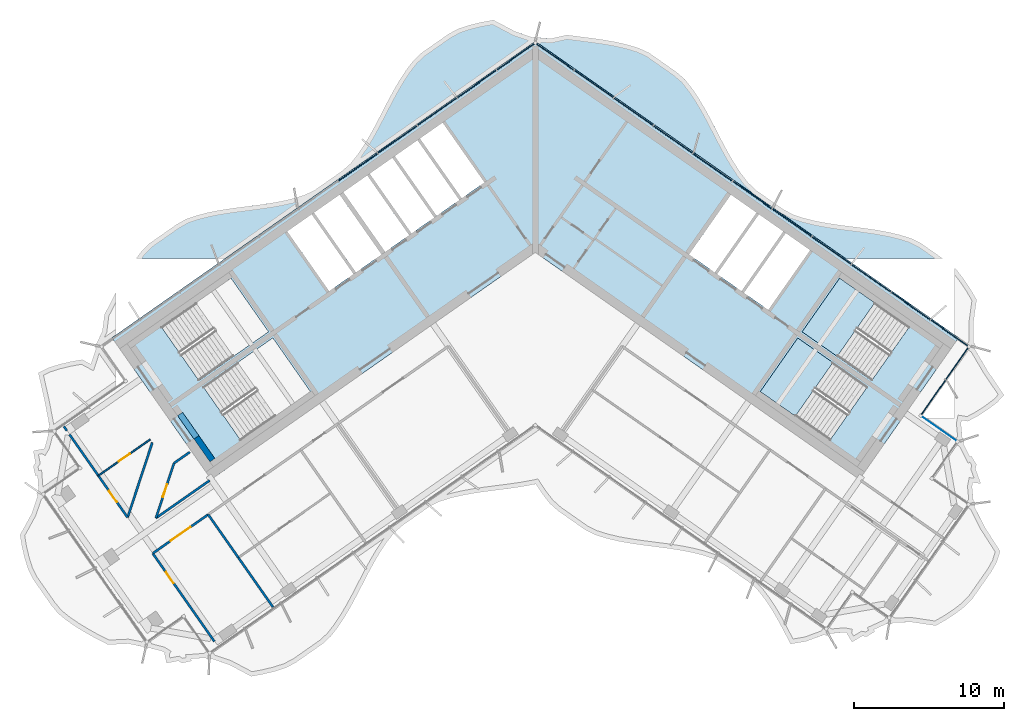
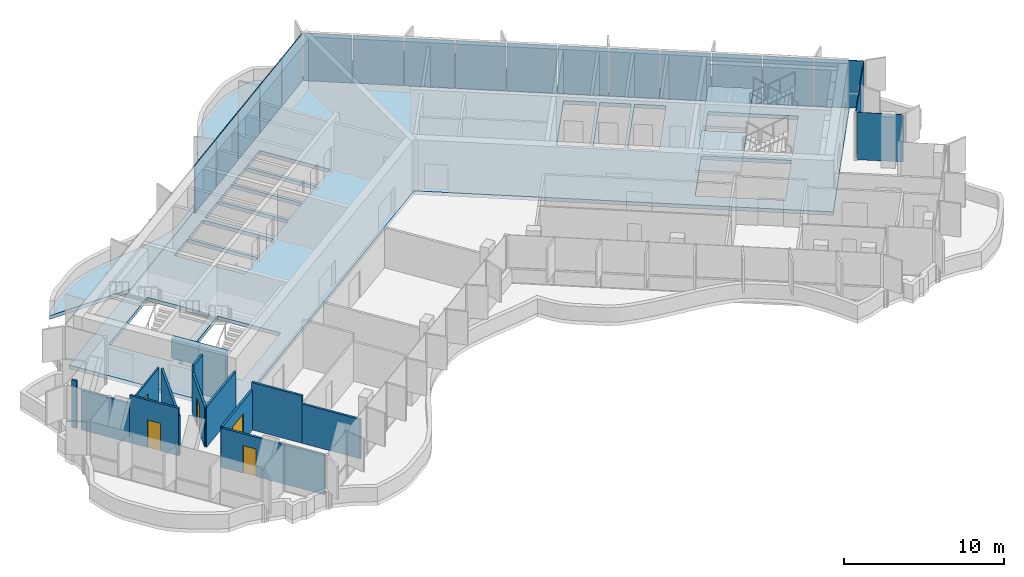
# One storey, part 8 of 17: 19 plates, 14 walls, 5 doors, 4 slabs, 5 openings, 4 elements without a shape of their own.
"""IFC4 building model written with IfcOpenShell, lengths in metres."""

from ifc_helpers import new_model, si_unit, direction, frame, frame_2d, origin, origin_2d, place, context, subcontext, project, spatial, polyline, rectangle, outline, extrude, material, layer, layer_set, type_object, element, fill, aggregate, save


model = new_model("IFC4")

# Units and contexts
model_context = context("Model", 3, precision=1e-05, world=origin(), true_north=direction((0.0, 1.0)))
body_context = subcontext(model_context, "Body", "Model", "MODEL_VIEW")
ifc_project = project(units=[si_unit("LENGTHUNIT", "METRE"), si_unit("AREAUNIT", "SQUARE_METRE"), si_unit("VOLUMEUNIT", "CUBIC_METRE"), si_unit("PLANEANGLEUNIT", "RADIAN"), si_unit("MASSUNIT", "GRAM", prefix="KILO")], contexts=[model_context])

# Site, building, storey
site_placement = place(None, origin())
site = spatial("IfcSite", under=ifc_project, at=site_placement, CompositionType="ELEMENT")
building_placement = place(site_placement, origin())
building = spatial("IfcBuilding", under=site, at=building_placement, Name="Tel Ilan Convention Tower", CompositionType="ELEMENT")
storey_placement = place(building_placement, frame((0.0, 0.0, 291.699951171875)))
storey = spatial("IfcBuildingStorey", under=building, at=storey_placement, Name="L69", CompositionType="ELEMENT", Elevation=291.699951171875)

# Curtain wall, plates
ifc_material_1 = material(Name="Aluminium, bronze anodised", Category="aluminium")
curtain_wall_type_1 = type_object("IfcCurtainWallType", Name="CW2 STICK CURTAIN WALL, SPANDREL PANELS", PredefinedType="NOTDEFINED", material=ifc_material_1)
curtain_wall_1_placement = place(storey_placement, origin())
curtain_wall_1 = element("IfcCurtainWall", 1, at=curtain_wall_1_placement, inside=storey, type_object=curtain_wall_type_1, Name="Curtain wall CW2-52.01", PredefinedType="NOTDEFINED")
ifc_material_2 = material(Name="Aluminium composite panel, bronze anodised", Category="aluminium")
ifc_layer_1 = layer(ifc_material_2, 0.06005859375)
ifc_layer_set_1 = layer_set([ifc_layer_1], Name="CW SPANDREL PANEL 60")
plate_type_1 = type_object("IfcPlateType", Name="CW SPANDREL PANEL 60", PredefinedType="CURTAIN_PANEL", material=ifc_layer_set_1)
plate_1_placement = place(storey_placement, frame((26.45947265625, -10.85400390625, 0.0), z_axis=(0.0, 0.0, 1.0), x_axis=(0.573576436351, 0.819152044289, 0.0)))
plate_1 = element("IfcPlate", 2, at=plate_1_placement, type_object=plate_type_1, Name="Spandrel panel", PredefinedType="CURTAIN_PANEL", context=body_context, shape_type="SweptSolid", body=[
    extrude(rectangle(XDim=2.76904296875, YDim=0.06005859375, at=origin_2d()), origin(), (0.0, 0.0, 1.0), 3.6201171875),
])
plate_2_placement = place(storey_placement, frame((28.042236328125, -8.593505859375, 0.0), z_axis=(0.0, 0.0, 1.0), x_axis=(0.573576436351, 0.819152044289, 0.0)))
plate_2 = element("IfcPlate", 3, at=plate_2_placement, type_object=plate_type_1, Name="Spandrel panel", PredefinedType="CURTAIN_PANEL", context=body_context, shape_type="SweptSolid", body=[
    extrude(rectangle(XDim=2.6298828125, YDim=0.06005859375, at=origin_2d()), origin(), (0.0, 0.0, 1.0), 3.6201171875),
])
plate_3_placement = place(storey_placement, frame((27.5400390625, -6.587646484375, 0.0), z_axis=(0.0, 0.0, 1.0), x_axis=(-0.819152044289, 0.573576436351, 0.0)))
plate_3 = element("IfcPlate", 4, at=plate_3_placement, type_object=plate_type_1, Name="Spandrel panel", PredefinedType="CURTAIN_PANEL", context=body_context, shape_type="SweptSolid", body=[
    extrude(rectangle(XDim=3.0439453125, YDim=0.06005859375, at=origin_2d()), origin(), (0.0, 0.0, 1.0), 3.6201171875),
])
plate_4_placement = place(storey_placement, frame((24.95263671875, -4.77587890625, 0.0), z_axis=(0.0, 0.0, 1.0), x_axis=(-0.819152044289, 0.573576436351, 0.0)))
plate_4 = element("IfcPlate", 5, at=plate_4_placement, type_object=plate_type_1, Name="Spandrel panel", PredefinedType="CURTAIN_PANEL", context=body_context, shape_type="SweptSolid", body=[
    extrude(rectangle(XDim=3.15380859375, YDim=0.06005859375, at=origin_2d()), origin(), (0.0, 0.0, 1.0), 3.6201171875),
])
plate_5_placement = place(storey_placement, frame((22.31982421875, -2.9326171875, 0.0), z_axis=(0.0, 0.0, 1.0), x_axis=(-0.819152044289, 0.573576436351, 0.0)))
plate_5 = element("IfcPlate", 6, at=plate_5_placement, type_object=plate_type_1, Name="Spandrel panel", PredefinedType="CURTAIN_PANEL", context=body_context, shape_type="SweptSolid", body=[
    extrude(rectangle(XDim=3.15380859375, YDim=0.06005859375, at=origin_2d()), origin(), (0.0, 0.0, 1.0), 3.6201171875),
])
plate_6_placement = place(storey_placement, frame((19.687255859375, -1.089111328125, 0.0), z_axis=(0.0, 0.0, 1.0), x_axis=(-0.819152044289, 0.573576436351, 0.0)))
plate_6 = element("IfcPlate", 7, at=plate_6_placement, type_object=plate_type_1, Name="Spandrel panel", PredefinedType="CURTAIN_PANEL", context=body_context, shape_type="SweptSolid", body=[
    extrude(rectangle(XDim=3.15380859375, YDim=0.06005859375, at=origin_2d()), origin(), (0.0, 0.0, 1.0), 3.6201171875),
])
plate_7_placement = place(storey_placement, frame((17.0546875, 0.754150390625, 0.0), z_axis=(0.0, 0.0, 1.0), x_axis=(-0.819152044289, 0.573576436351, 0.0)))
plate_7 = element("IfcPlate", 8, at=plate_7_placement, type_object=plate_type_1, Name="Spandrel panel", PredefinedType="CURTAIN_PANEL", context=body_context, shape_type="SweptSolid", body=[
    extrude(rectangle(XDim=3.15380859375, YDim=0.06005859375, at=origin_2d()), origin(), (0.0, 0.0, 1.0), 3.6201171875),
])
plate_8_placement = place(storey_placement, frame((14.422119140625, 2.59765625, 0.0), z_axis=(0.0, 0.0, 1.0), x_axis=(-0.819152044289, 0.573576436351, 0.0)))
plate_8 = element("IfcPlate", 9, at=plate_8_placement, type_object=plate_type_1, Name="Spandrel panel", PredefinedType="CURTAIN_PANEL", context=body_context, shape_type="SweptSolid", body=[
    extrude(rectangle(XDim=3.15380859375, YDim=0.06005859375, at=origin_2d()), origin(), (0.0, 0.0, 1.0), 3.6201171875),
])
plate_9_placement = place(storey_placement, frame((11.789306640625, 4.44091796875, 0.0), z_axis=(0.0, 0.0, 1.0), x_axis=(-0.819152044289, 0.573576436351, 0.0)))
plate_9 = element("IfcPlate", 10, at=plate_9_placement, type_object=plate_type_1, Name="Spandrel panel", PredefinedType="CURTAIN_PANEL", context=body_context, shape_type="SweptSolid", body=[
    extrude(rectangle(XDim=3.15380859375, YDim=0.06005859375, at=origin_2d()), origin(), (0.0, 0.0, 1.0), 3.6201171875),
])
plate_10_placement = place(storey_placement, frame((9.15673828125, 6.284423828125, 0.0), z_axis=(0.0, 0.0, 1.0), x_axis=(-0.819152044289, 0.573576436351, 0.0)))
plate_10 = element("IfcPlate", 11, at=plate_10_placement, type_object=plate_type_1, Name="Spandrel panel", PredefinedType="CURTAIN_PANEL", context=body_context, shape_type="SweptSolid", body=[
    extrude(rectangle(XDim=3.15380859375, YDim=0.06005859375, at=origin_2d()), origin(), (0.0, 0.0, 1.0), 3.6201171875),
])
plate_11_placement = place(storey_placement, frame((6.524169921875, 8.127685546875, 0.0), z_axis=(0.0, 0.0, 1.0), x_axis=(-0.819152044289, 0.573576436351, 0.0)))
plate_11 = element("IfcPlate", 12, at=plate_11_placement, type_object=plate_type_1, Name="Spandrel panel", PredefinedType="CURTAIN_PANEL", context=body_context, shape_type="SweptSolid", body=[
    extrude(rectangle(XDim=3.15380859375, YDim=0.06005859375, at=origin_2d()), origin(), (0.0, 0.0, 1.0), 3.6201171875),
])
plate_12_placement = place(storey_placement, frame((3.8916015625, 9.97119140625, 0.0), z_axis=(0.0, 0.0, 1.0), x_axis=(-0.819152044289, 0.573576436351, 0.0)))
plate_12 = element("IfcPlate", 13, at=plate_12_placement, type_object=plate_type_1, Name="Spandrel panel", PredefinedType="CURTAIN_PANEL", context=body_context, shape_type="SweptSolid", body=[
    extrude(rectangle(XDim=3.15380859375, YDim=0.06005859375, at=origin_2d()), origin(), (0.0, 0.0, 1.0), 3.6201171875),
])
plate_13_placement = place(storey_placement, frame((1.303955078125, 11.782958984375, 0.0), z_axis=(0.0, 0.0, 1.0), x_axis=(-0.819152044289, 0.573576436351, 0.0)))
plate_13 = element("IfcPlate", 14, at=plate_13_placement, type_object=plate_type_1, Name="Spandrel panel", PredefinedType="CURTAIN_PANEL", context=body_context, shape_type="SweptSolid", body=[
    extrude(rectangle(XDim=3.0439453125, YDim=0.06005859375, at=origin_2d()), origin(), (0.0, 0.0, 1.0), 3.6201171875),
])
plate_14_placement = place(storey_placement, frame((-1.303955078125, 11.782958984375, 0.0), z_axis=(0.0, 0.0, 1.0), x_axis=(-0.819152044289, -0.573576436351, 0.0)))
plate_14 = element("IfcPlate", 15, at=plate_14_placement, type_object=plate_type_1, Name="Spandrel panel", PredefinedType="CURTAIN_PANEL", context=body_context, shape_type="SweptSolid", body=[
    extrude(rectangle(XDim=3.0439453125, YDim=0.06005859375, at=origin_2d()), origin(), (0.0, 0.0, 1.0), 3.6201171875),
])
plate_15_placement = place(storey_placement, frame((-3.8916015625, 9.97119140625, 0.0), z_axis=(0.0, 0.0, 1.0), x_axis=(-0.819152044289, -0.573576436351, 0.0)))
plate_15 = element("IfcPlate", 16, at=plate_15_placement, type_object=plate_type_1, Name="Spandrel panel", PredefinedType="CURTAIN_PANEL", context=body_context, shape_type="SweptSolid", body=[
    extrude(rectangle(XDim=3.15380859375, YDim=0.06005859375, at=origin_2d()), origin(), (0.0, 0.0, 1.0), 3.6201171875),
])
plate_16_placement = place(storey_placement, frame((-6.524169921875, 8.127685546875, 0.0), z_axis=(0.0, 0.0, 1.0), x_axis=(-0.819152044289, -0.573576436351, 0.0)))
plate_16 = element("IfcPlate", 17, at=plate_16_placement, type_object=plate_type_1, Name="Spandrel panel", PredefinedType="CURTAIN_PANEL", context=body_context, shape_type="SweptSolid", body=[
    extrude(rectangle(XDim=3.15380859375, YDim=0.06005859375, at=origin_2d()), origin(), (0.0, 0.0, 1.0), 3.6201171875),
])
plate_17_placement = place(storey_placement, frame((-9.15673828125, 6.284423828125, 0.0), z_axis=(0.0, 0.0, 1.0), x_axis=(-0.819152044289, -0.573576436351, 0.0)))
plate_17 = element("IfcPlate", 18, at=plate_17_placement, type_object=plate_type_1, Name="Spandrel panel", PredefinedType="CURTAIN_PANEL", context=body_context, shape_type="SweptSolid", body=[
    extrude(rectangle(XDim=3.15380859375, YDim=0.06005859375, at=origin_2d()), origin(), (0.0, 0.0, 1.0), 3.6201171875),
])
plate_18_placement = place(storey_placement, frame((-11.789306640625, 4.44091796875, 0.0), z_axis=(0.0, 0.0, 1.0), x_axis=(-0.819152044289, -0.573576436351, 0.0)))
plate_18 = element("IfcPlate", 19, at=plate_18_placement, type_object=plate_type_1, Name="Spandrel panel", PredefinedType="CURTAIN_PANEL", context=body_context, shape_type="SweptSolid", body=[
    extrude(rectangle(XDim=3.15380859375, YDim=0.06005859375, at=origin_2d()), origin(), (0.0, 0.0, 1.0), 3.6201171875),
])
aggregate(curtain_wall_1, [plate_1, plate_2, plate_3, plate_4, plate_5, plate_6, plate_7, plate_8, plate_9, plate_10, plate_11, plate_12, plate_13, plate_14, plate_15, plate_16, plate_17, plate_18])

# Curtain wall, plate
ifc_material_3 = material(Name="Aluminium, bronze anodised", Category="aluminium")
curtain_wall_type_2 = type_object("IfcCurtainWallType", Name="CW5 STICK CURTAIN WALL, UPPER OFFICE LOW-IRON TINTED GLASS", PredefinedType="NOTDEFINED", material=ifc_material_3)
curtain_wall_2_placement = place(storey_placement, origin())
curtain_wall_2 = element("IfcCurtainWall", 20, at=curtain_wall_2_placement, inside=storey, type_object=curtain_wall_type_2, Name="Curtain wall CW5-52.02", PredefinedType="NOTDEFINED")
ifc_material_4 = material(Name="Glass, low-iron bronze tinted, two-ply", Category="glass")
ifc_layer_2 = layer(ifc_material_4, 0.031982421875)
ifc_layer_set_2 = layer_set([ifc_layer_2], Name="CW UPPER GLASS PANEL 32")
plate_type_2 = type_object("IfcPlateType", Name="CW UPPER GLASS PANEL 32", PredefinedType="CURTAIN_PANEL", material=ifc_layer_set_2)
plate_19_placement = place(storey_placement, frame((26.86767578125, -12.953369140625, 0.0), z_axis=(0.0, 0.0, 1.0), x_axis=(-0.819152044289, 0.573576436351, 0.0)))
plate_19 = element("IfcPlate", 21, at=plate_19_placement, type_object=plate_type_2, Name="Glass panel", PredefinedType="CURTAIN_PANEL", context=body_context, shape_type="SweptSolid", body=[
    extrude(rectangle(XDim=2.875, YDim=0.028076171875, at=origin_2d()), origin(), (0.0, 0.0, 1.0), 3.6201171875),
])
aggregate(curtain_wall_2, [plate_19])

# Stair, slab
ifc_material_5 = material(Name="Concrete C40/50", Category="concrete")
stair_type = type_object("IfcStairType", Name="Pressurised Exit Stair 22 risers 177 mm", PredefinedType="HALF_TURN_STAIR", material=ifc_material_5)
stair_1_placement = place(storey_placement, origin())
stair_1 = element("IfcStair", 22, at=stair_1_placement, inside=storey, type_object=stair_type, Name="L69 Pressurised Stair S3", PredefinedType="HALF_TURN_STAIR")
ifc_material_6 = material(Name="Concrete C40/50", Category="concrete")
ifc_layer_3 = layer(ifc_material_6, 0.199951171875)
ifc_layer_set_3 = layer_set([ifc_layer_3], Name="Concrete Stair Landing 200 mm C40/50")
slab_type_1 = type_object("IfcSlabType", Name="Concrete Stair Landing 200 mm", PredefinedType="LANDING", material=ifc_layer_set_3)
slab_1_placement = place(storey_placement, frame((0.0, 0.0, 1.75)))
slab_1 = element("IfcSlab", 23, at=slab_1_placement, type_object=slab_type_1, Name="S3 landing 1", PredefinedType="LANDING", context=body_context, shape_type="SweptSolid", body=[
    extrude(outline(polyline([(22.561767578125, -4.566650390625), (20.226318359375, -2.931640625), (17.7314453125, -6.494873046875), (20.066650390625, -8.130126953125), (22.561767578125, -4.566650390625)])), origin(), (0.0, 0.0, 1.0), 0.199951171875),
])
aggregate(stair_1, [slab_1])

stair_2_placement = place(storey_placement, origin())
stair_2 = element("IfcStair", 24, at=stair_2_placement, inside=storey, type_object=stair_type, Name="L69 Pressurised Stair S4", PredefinedType="HALF_TURN_STAIR")
slab_2_placement = place(storey_placement, frame((0.0, 0.0, 1.75)))
slab_2 = element("IfcSlab", 25, at=slab_2_placement, type_object=slab_type_1, Name="S4 landing 1", PredefinedType="LANDING", context=body_context, shape_type="SweptSolid", body=[
    extrude(outline(polyline([(19.77978515625, -8.53955078125), (17.444580078125, -6.904541015625), (14.949462890625, -10.4677734375), (17.28466796875, -12.10302734375), (19.77978515625, -8.53955078125)])), origin(), (0.0, 0.0, 1.0), 0.199951171875),
])
aggregate(stair_2, [slab_2])

# Slabs
ifc_material_7 = material(Name="Concrete C40/50", Category="concrete")
ifc_layer_4 = layer(ifc_material_7, 0.280029296875)
ifc_layer_set_4 = layer_set([ifc_layer_4], Name="Core Floor Slab 280 mm C40/50")
slab_type_2 = type_object("IfcSlabType", Name="Core Floor Slab 280 mm C40/50", PredefinedType="FLOOR", material=ifc_layer_set_4)
slab_3_placement = place(storey_placement, frame((0.0, 0.0, -0.280029296875)))
element("IfcSlab", 26, at=slab_3_placement, inside=storey, type_object=slab_type_2, Name="L69 core floor 1", PredefinedType="FLOOR", context=body_context, shape_type="SweptSolid", body=[
    extrude(outline(polyline([(0.0, 12.818115234375), (28.1396484375, -6.885498046875), (21.54345703125, -16.3056640625), (0.0, -1.220703125), (-21.54345703125, -16.3056640625), (-28.1396484375, -6.885498046875), (-13.013916015625, 3.705810546875), (-6.48876953125, 8.274658203125), (-4.6650390625, 9.5517578125), (-0.2412109375, 12.6494140625), (0.0, 12.818115234375)]), holes=[polyline([(-17.444580078125, -6.904541015625), (-22.072021484375, -10.144775390625), (-19.5771484375, -13.7080078125), (-14.949462890625, -10.4677734375), (-17.444580078125, -6.904541015625)]), polyline([(-17.7314453125, -6.494873046875), (-20.226318359375, -2.931640625), (-24.85400390625, -6.171875), (-22.35888671875, -9.735107421875), (-17.7314453125, -6.494873046875)]), polyline([(-14.864990234375, 1.310791015625), (-16.48291015625, 0.177978515625), (-13.701171875, -3.794921875), (-12.083251953125, -2.662109375), (-14.864990234375, 1.310791015625)]), polyline([(-14.701416015625, 1.425537109375), (-11.91943359375, -2.54736328125), (-10.2197265625, -1.357421875), (-13.001708984375, 2.615478515625), (-14.701416015625, 1.425537109375)]), polyline([(-11.168701171875, 3.89892578125), (-12.755859375, 2.78759765625), (-9.97412109375, -1.185302734375), (-8.386962890625, -0.073974609375), (-11.168701171875, 3.89892578125)]), polyline([(-9.499755859375, 5.067626953125), (-11.0048828125, 4.013671875), (-8.222900390625, 0.040771484375), (-6.718017578125, 1.0947265625), (-9.499755859375, 5.067626953125)]), polyline([(-9.3359375, 5.182373046875), (-6.553955078125, 1.20947265625), (-5.048828125, 2.263427734375), (-7.830810546875, 6.236328125), (-9.3359375, 5.182373046875)]), polyline([(17.444580078125, -6.904541015625), (14.949462890625, -10.4677734375), (19.5771484375, -13.7080078125), (22.072021484375, -10.144775390625), (17.444580078125, -6.904541015625)]), polyline([(20.226318359375, -2.931640625), (17.7314453125, -6.494873046875), (22.35888671875, -9.735107421875), (24.85400390625, -6.171875), (20.226318359375, -2.931640625)]), polyline([(15.48291015625, -5.04248046875), (18.2646484375, -1.069580078125), (16.646728515625, 0.063232421875), (13.864990234375, -3.90966796875), (15.48291015625, -5.04248046875)]), polyline([(13.701171875, -3.794921875), (16.48291015625, 0.177978515625), (14.864990234375, 1.310791015625), (12.083251953125, -2.662109375), (13.701171875, -3.794921875)]), polyline([(11.91943359375, -2.54736328125), (14.701416015625, 1.425537109375), (13.001708984375, 2.615478515625), (10.2197265625, -1.357421875), (11.91943359375, -2.54736328125)]), polyline([(-6.16162109375, 7.405029296875), (-7.666748046875, 6.35107421875), (-4.885009765625, 2.378173828125), (-3.3798828125, 3.43212890625), (-6.16162109375, 7.405029296875)])]), origin(), (0.0, 0.0, 1.0), 0.280029296875),
])
ifc_material_8 = material(Name="Concrete C40/50", Category="concrete")
ifc_layer_5 = layer(ifc_material_8, 0.280029296875)
ifc_layer_set_5 = layer_set([ifc_layer_5], Name="Edge Ledge Slab 280 mm C40/50")
slab_type_3 = type_object("IfcSlabType", Name="Edge Ledge Slab 280 mm C40/50", PredefinedType="FLOOR", material=ifc_layer_set_5)
slab_4_placement = place(storey_placement, frame((0.0, 0.0, -0.280029296875)))
element("IfcSlab", 27, at=slab_4_placement, inside=storey, type_object=slab_type_3, Name="L69 edge ledge 2", PredefinedType="FLOOR", context=body_context, shape_type="SweptSolid", body=[
    extrude(outline(polyline([(-23.1982421875, 1.006591796875), (-22.4697265625, 1.250244140625), (-21.705322265625, 1.44287109375), (-20.91259765625, 1.594482421875), (-20.099365234375, 1.71728515625), (-19.275146484375, 1.824462890625), (-18.44970703125, 1.9296875), (-17.6328125, 2.047119140625), (-16.833984375, 2.18994140625), (-16.0615234375, 2.37109375), (-15.3232421875, 2.6005859375), (-14.651611328125, 2.92529296875), (-12.841552734375, 4.192626953125), (-12.284912109375, 4.681640625), (-11.809326171875, 5.28662109375), (-11.369140625, 5.94189453125), (-10.956787109375, 6.63720703125), (-10.564453125, 7.36083984375), (-10.182373046875, 8.09912109375), (-9.80078125, 8.83837890625), (-9.410400390625, 9.564697265625), (-9.001220703125, 10.264404296875), (-8.56494140625, 10.925537109375), (-8.094482421875, 11.53759765625), (-7.552001953125, 12.047119140625), (-5.7421875, 13.314208984375), (-5.0849609375, 13.66015625), (-4.3515625, 13.896484375), (-3.5830078125, 14.083251953125), (-2.785888671875, 14.228515625), (-1.357666015625, 13.472900390625), (-0.172119140625, 13.06396484375), (-0.168701171875, 13.05908203125), (-0.11474609375, 13.09521484375), (0.0, 13.1181640625), (0.11474609375, 13.09521484375), (0.168701171875, 13.05908203125), (0.172119140625, 13.06396484375), (1.02001953125, 12.99072265625), (2.08935546875, 13.234130859375), (2.913818359375, 13.12744140625), (3.739501953125, 13.0224609375), (4.55712890625, 12.90625), (5.357666015625, 12.765380859375), (6.132080078125, 12.587158203125), (6.872802734375, 12.361083984375), (7.552001953125, 12.047119140625), (9.36181640625, 10.77978515625), (9.925537109375, 10.300537109375), (10.403564453125, 9.69921875), (10.845947265625, 9.046875), (11.259521484375, 8.353515625), (11.653076171875, 7.631591796875), (12.035400390625, 6.893798828125), (12.416748046875, 6.154052734375), (12.806396484375, 5.426513671875), (13.214111328125, 4.724609375), (13.648193359375, 4.060791015625), (14.116455078125, 3.4453125), (14.651611328125, 2.92529296875), (16.46142578125, 1.657958984375), (17.111328125, 1.30224609375), (17.84228515625, 1.062255859375), (18.60888671875, 0.87255859375), (19.4033203125, 0.72314453125), (20.21728515625, 0.601806640625), (21.0419921875, 0.495361328125), (21.8671875, 0.3896484375), (22.68310546875, 0.27099609375), (23.480712890625, 0.1259765625), (24.2509765625, -0.057861328125), (24.987060546875, -0.290771484375), (25.6513671875, -0.626220703125), (27.087158203125, -1.631591796875), (20.63623046875, -1.631591796875), (0.0, 12.818115234375), (-20.63623046875, -1.631591796875), (-26.535888671875, -1.631591796875), (-26.1787109375, -1.156982421875), (-25.6513671875, -0.626220703125), (-23.84130859375, 0.64111328125), (-23.1982421875, 1.006591796875)])), origin(), (0.0, 0.0, 1.0), 0.280029296875),
])

# Wall, opening, door
ifc_material_9 = material(Name="Plasterboard on Steel Studs", Category="steel")
ifc_layer_6 = layer(ifc_material_9, 0.14990234375)
ifc_layer_set_6 = layer_set([ifc_layer_6], Name="Fire-rated Partition 150 EI 60")
wall_type_1 = type_object("IfcWallType", Name="Fire-rated Partition 150 EI 60", PredefinedType="PARTITIONING", material=ifc_layer_set_6)
wall_1_placement = place(storey_placement, frame((-21.73828125, -18.639404296875, 0.0), z_axis=(0.0, 0.0, 1.0), x_axis=(-0.819150108412, -0.573579201061, 0.0)))
wall_1 = element("IfcWall", 28, at=wall_1_placement, inside=storey, type_object=wall_type_1, Name="Partition 009", PredefinedType="PARTITIONING", context=body_context, shape_type="SweptSolid", body=[
    extrude(rectangle(XDim=4.48681640625, YDim=0.14990234375, at=frame_2d((2.243408203125, 0.0))), origin(), (0.0, 0.0, 1.0), 3.050048828125),
])
opening_1_placement = place(wall_1_placement, frame((1.443603515625, 0.0, 0.0)))
opening_1 = element("IfcOpeningElement", 29, at=opening_1_placement, cuts=wall_1, Name="Opening L69-005", PredefinedType="OPENING", context=body_context, shape_type="SweptSolid", body=[
    extrude(rectangle(XDim=1.60009765625, YDim=2.10009765625, at=frame_2d((0.800048828125, 1.050048828125))), frame((0.0, 0.0849609375, 0.0), z_axis=(0.0, -1.0, 0.0), x_axis=(1.0, 0.0, 0.0)), (0.0, 0.0, 1.0), 0.169921875),
])
ifc_material_10 = material(Name="Timber Door Leaf in Steel Frame", Category="steel")
door_type_1 = type_object("IfcDoorType", Name="Tenant Suite Entrance Fire Door 1600x2100", OperationType="NOTDEFINED", PredefinedType="DOOR", material=ifc_material_10)
door_1_placement = place(opening_1_placement, origin())
door_1 = element("IfcDoor", 30, at=door_1_placement, inside=storey, type_object=door_type_1, Name="Door L69-005", OperationType="DOUBLE_DOOR_SINGLE_SWING", OverallHeight=2.10009765625, OverallWidth=1.60009765625, PredefinedType="DOOR", context=body_context, shape_type="SweptSolid", body=[
    extrude(rectangle(XDim=1.60009765625, YDim=2.10009765625, at=frame_2d((0.800048828125, 1.050048828125))), frame((0.0, 0.02490234375, 0.0), z_axis=(0.0, -1.0, 0.0), x_axis=(1.0, 0.0, 0.0)), (0.0, 0.0, 1.0), 0.050048828125),
])
fill(opening_1, door_1)

# Walls
wall_2_placement = place(storey_placement, frame((-25.21337890625, -18.87548828125, 0.0), z_axis=(0.0, 0.0, 1.0), x_axis=(0.819134577063, 0.573601381327, 0.0)))
element("IfcWall", 31, at=wall_2_placement, inside=storey, type_object=wall_type_1, Name="Partition 010", PredefinedType="PARTITIONING", context=body_context, shape_type="SweptSolid", body=[
    extrude(rectangle(XDim=4.360107421875, YDim=0.14990234375, at=frame_2d((2.18017578125, 0.0))), origin(), (0.0, 0.0, 1.0), 3.050048828125),
])
wall_3_placement = place(storey_placement, frame((-27.096923828125, -18.837890625, 0.0), z_axis=(0.0, 0.0, 1.0), x_axis=(0.312790582107, 0.949822115843, 0.0)))
element("IfcWall", 32, at=wall_3_placement, inside=storey, type_object=wall_type_1, Name="Partition 022", PredefinedType="PARTITIONING", context=body_context, shape_type="SweptSolid", body=[
    extrude(rectangle(XDim=5.2451171875, YDim=0.14990234375, at=frame_2d((2.62255859375, 0.0))), origin(), (0.0, 0.0, 1.0), 3.050048828125),
])
wall_4_placement = place(storey_placement, frame((-22.961181640625, -14.490478515625, 0.0), z_axis=(0.0, 0.0, 1.0), x_axis=(-0.819133624144, -0.573602742145, 0.0)))
element("IfcWall", 33, at=wall_4_placement, inside=storey, type_object=wall_type_1, Name="Partition 023", PredefinedType="PARTITIONING", context=body_context, shape_type="SweptSolid", body=[
    extrude(rectangle(XDim=1.28369140625, YDim=0.14990234375, at=frame_2d((0.641845703125, 0.0))), origin(), (0.0, 0.0, 1.0), 3.6201171875),
])

# Wall, opening, door
wall_5_placement = place(storey_placement, frame((-24.0126953125, -15.226806640625, 0.0), z_axis=(0.0, 0.0, 1.0), x_axis=(-0.312793296718, -0.949821221877, 0.0)))
wall_5 = element("IfcWall", 34, at=wall_5_placement, inside=storey, type_object=wall_type_1, Name="Partition 024", PredefinedType="PARTITIONING", context=body_context, shape_type="SweptSolid", body=[
    extrude(rectangle(XDim=3.8408203125, YDim=0.14990234375, at=frame_2d((1.92041015625, 0.0))), origin(), (0.0, 0.0, 1.0), 3.050048828125),
])
opening_2_placement = place(wall_5_placement, frame((1.470458984375, 0.0, 0.0)))
opening_2 = element("IfcOpeningElement", 35, at=opening_2_placement, cuts=wall_5, Name="Opening L69-014", PredefinedType="OPENING", context=body_context, shape_type="SweptSolid", body=[
    extrude(rectangle(XDim=0.89990234375, YDim=2.10009765625, at=frame_2d((0.449951171875, 1.050048828125))), frame((0.0, 0.0849609375, 0.0), z_axis=(0.0, -1.0, 0.0), x_axis=(1.0, 0.0, 0.0)), (0.0, 0.0, 1.0), 0.169921875),
])
ifc_material_11 = material(Name="Timber Door Leaf in Steel Frame", Category="steel")
door_type_2 = type_object("IfcDoorType", Name="Room Fire Door 900x2100", OperationType="NOTDEFINED", PredefinedType="DOOR", material=ifc_material_11)
door_2_placement = place(opening_2_placement, origin())
door_2 = element("IfcDoor", 36, at=door_2_placement, inside=storey, type_object=door_type_2, Name="Door L69-014", OperationType="SINGLE_SWING_LEFT", OverallHeight=2.10009765625, OverallWidth=0.89990234375, PredefinedType="DOOR", context=body_context, shape_type="SweptSolid", body=[
    extrude(rectangle(XDim=0.89990234375, YDim=2.10009765625, at=frame_2d((0.449951171875, 1.050048828125))), frame((0.0, 0.02490234375, 0.0), z_axis=(0.0, -1.0, 0.0), x_axis=(1.0, 0.0, 0.0)), (0.0, 0.0, 1.0), 0.050048828125),
])
fill(opening_2, door_2)

# Walls
wall_6_placement = place(storey_placement, frame((-29.0400390625, -16.060302734375, 0.0), z_axis=(0.0, 0.0, 1.0), x_axis=(-0.573574925941, 0.819153101887, 0.0)))
element("IfcWall", 37, at=wall_6_placement, inside=storey, type_object=wall_type_1, Name="Partition 026", PredefinedType="PARTITIONING", context=body_context, shape_type="SweptSolid", body=[
    extrude(rectangle(XDim=3.347412109375, YDim=0.14990234375, at=frame_2d((1.673828125, 0.0))), origin(), (0.0, 0.0, 1.0), 3.0),
])
wall_7_placement = place(storey_placement, frame((-31.135009765625, -13.068603515625, 0.0), z_axis=(0.0, 0.0, 1.0), x_axis=(-0.573084278088, 0.819496436971, 0.0)))
element("IfcWall", 38, at=wall_7_placement, inside=storey, type_object=wall_type_1, Name="Partition 027", PredefinedType="PARTITIONING", context=body_context, shape_type="SweptSolid", body=[
    extrude(rectangle(XDim=0.3466796875, YDim=0.14990234375, at=frame_2d((0.17333984375, 0.0))), origin(), (0.0, 0.0, 1.0), 3.6201171875),
])

# Wall, opening, door
wall_8_placement = place(storey_placement, frame((-27.096435546875, -18.836181640625, 0.0), z_axis=(0.0, 0.0, 1.0), x_axis=(-0.573563907824, 0.819160816715, 0.0)))
wall_8 = element("IfcWall", 39, at=wall_8_placement, inside=storey, type_object=wall_type_1, Name="Partition 028", PredefinedType="PARTITIONING", context=body_context, shape_type="SweptSolid", body=[
    extrude(rectangle(XDim=3.3876953125, YDim=0.14990234375, at=frame_2d((1.69384765625, 0.0))), origin(), (0.0, 0.0, 1.0), 3.6201171875),
])
opening_3_placement = place(wall_8_placement, frame((1.243896484375, 0.0, 0.0)))
opening_3 = element("IfcOpeningElement", 40, at=opening_3_placement, cuts=wall_8, Name="Opening L69-015", PredefinedType="OPENING", context=body_context, shape_type="SweptSolid", body=[
    extrude(rectangle(XDim=0.89990234375, YDim=2.10009765625, at=frame_2d((0.449951171875, 1.050048828125))), frame((0.0, 0.0849609375, 0.0), z_axis=(0.0, -1.0, 0.0), x_axis=(1.0, 0.0, 0.0)), (0.0, 0.0, 1.0), 0.169921875),
])
door_3_placement = place(opening_3_placement, origin())
door_3 = element("IfcDoor", 41, at=door_3_placement, inside=storey, type_object=door_type_2, Name="Door L69-015", OperationType="SINGLE_SWING_RIGHT", OverallHeight=2.10009765625, OverallWidth=0.89990234375, PredefinedType="DOOR", context=body_context, shape_type="SweptSolid", body=[
    extrude(rectangle(XDim=0.89990234375, YDim=2.10009765625, at=frame_2d((0.449951171875, 1.050048828125))), frame((0.0, 0.02490234375, 0.0), z_axis=(0.0, -1.0, 0.0), x_axis=(1.0, 0.0, 0.0)), (0.0, 0.0, 1.0), 0.050048828125),
])
fill(opening_3, door_3)

# Walls
wall_9_placement = place(storey_placement, frame((-17.43798828125, -24.7841796875, 0.0), z_axis=(0.0, 0.0, 1.0), x_axis=(-0.573560675104, 0.819163080207, 0.0)))
element("IfcWall", 42, at=wall_9_placement, inside=storey, type_object=wall_type_1, Name="Partition 033", PredefinedType="PARTITIONING", context=body_context, shape_type="SweptSolid", body=[
    extrude(rectangle(XDim=3.9990234375, YDim=0.14990234375, at=frame_2d((1.99951171875, 0.0))), origin(), (0.0, 0.0, 1.0), 3.0),
])
wall_10_placement = place(storey_placement, frame((-19.732421875, -21.507568359375, 0.0), z_axis=(0.0, 0.0, 1.0), x_axis=(-0.573551294295, 0.819169648371, 0.0)))
element("IfcWall", 43, at=wall_10_placement, inside=storey, type_object=wall_type_1, Name="Partition 034", PredefinedType="PARTITIONING", context=body_context, shape_type="SweptSolid", body=[
    extrude(rectangle(XDim=3.499755859375, YDim=0.14990234375, at=frame_2d((1.75, 0.0))), origin(), (0.0, 0.0, 1.0), 3.6201171875),
])

# Wall, opening, door
wall_11_placement = place(storey_placement, frame((-21.326904296875, -27.075927734375, 0.0), z_axis=(0.0, 0.0, 1.0), x_axis=(-0.573570096875, 0.819156483202, 0.0)))
wall_11 = element("IfcWall", 44, at=wall_11_placement, inside=storey, type_object=wall_type_1, Name="Partition 035", PredefinedType="PARTITIONING", context=body_context, shape_type="SweptSolid", body=[
    extrude(rectangle(XDim=7.146728515625, YDim=0.14990234375, at=frame_2d((3.5732421875, 0.0))), origin(), (0.0, 0.0, 1.0), 3.0),
])
opening_4_placement = place(wall_11_placement, frame((4.723388671875, 0.0, 0.0)))
opening_4 = element("IfcOpeningElement", 45, at=opening_4_placement, cuts=wall_11, Name="Opening L69-016", PredefinedType="OPENING", context=body_context, shape_type="SweptSolid", body=[
    extrude(rectangle(XDim=0.89990234375, YDim=2.10009765625, at=frame_2d((0.449951171875, 1.050048828125))), frame((0.0, 0.0849609375, 0.0), z_axis=(0.0, -1.0, 0.0), x_axis=(1.0, 0.0, 0.0)), (0.0, 0.0, 1.0), 0.169921875),
])
door_4_placement = place(opening_4_placement, origin())
door_4 = element("IfcDoor", 46, at=door_4_placement, inside=storey, type_object=door_type_2, Name="Door L69-016", OperationType="SINGLE_SWING_RIGHT", OverallHeight=2.10009765625, OverallWidth=0.89990234375, PredefinedType="DOOR", context=body_context, shape_type="SweptSolid", body=[
    extrude(rectangle(XDim=0.89990234375, YDim=2.10009765625, at=frame_2d((0.449951171875, 1.050048828125))), frame((0.0, 0.02490234375, 0.0), z_axis=(0.0, -1.0, 0.0), x_axis=(1.0, 0.0, 0.0)), (0.0, 0.0, 1.0), 0.050048828125),
])
fill(opening_4, door_4)

ifc_material_12 = material(Name="Plasterboard on Steel Studs", Category="steel")
ifc_layer_7 = layer(ifc_material_12, 0.10009765625)
ifc_layer_set_7 = layer_set([ifc_layer_7], Name="Plasterboard Partition 100")
wall_type_2 = type_object("IfcWallType", Name="Plasterboard Partition 100", PredefinedType="PARTITIONING", material=ifc_layer_set_7)
wall_12_placement = place(storey_placement, frame((-29.0400390625, -16.060302734375, 0.0), z_axis=(0.0, 0.0, 1.0), x_axis=(0.819139100631, 0.573594921367, 0.0)))
wall_12 = element("IfcWall", 47, at=wall_12_placement, inside=storey, type_object=wall_type_2, Name="Partition 025", PredefinedType="PARTITIONING", context=body_context, shape_type="SweptSolid", body=[
    extrude(rectangle(XDim=4.201904296875, YDim=0.10009765625, at=frame_2d((2.10107421875, 0.0))), origin(), (0.0, 0.0, 1.0), 3.050048828125),
])
opening_5_placement = place(wall_12_placement, frame((1.65087890625, 0.0, 0.0)))
opening_5 = element("IfcOpeningElement", 48, at=opening_5_placement, cuts=wall_12, Name="Opening L69-006", PredefinedType="OPENING", context=body_context, shape_type="SweptSolid", body=[
    extrude(rectangle(XDim=0.89990234375, YDim=2.10009765625, at=frame_2d((0.449951171875, 1.050048828125))), frame((0.0, 0.06005859375, 0.0), z_axis=(0.0, -1.0, 0.0), x_axis=(1.0, 0.0, 0.0)), (0.0, 0.0, 1.0), 0.1201171875),
])
ifc_material_13 = material(Name="Timber Door Leaf in Steel Frame", Category="steel")
door_type_3 = type_object("IfcDoorType", Name="Room Timber Door 900x2100", OperationType="NOTDEFINED", PredefinedType="DOOR", material=ifc_material_13)
door_5_placement = place(opening_5_placement, origin())
door_5 = element("IfcDoor", 49, at=door_5_placement, inside=storey, type_object=door_type_3, Name="Door L69-006", OperationType="SINGLE_SWING_LEFT", OverallHeight=2.10009765625, OverallWidth=0.89990234375, PredefinedType="DOOR", context=body_context, shape_type="SweptSolid", body=[
    extrude(rectangle(XDim=0.89990234375, YDim=2.10009765625, at=frame_2d((0.449951171875, 1.050048828125))), frame((0.0, 0.02490234375, 0.0), z_axis=(0.0, -1.0, 0.0), x_axis=(1.0, 0.0, 0.0)), (0.0, 0.0, 1.0), 0.050048828125),
])
fill(opening_5, door_5)

# Walls
ifc_material_14 = material(Name="Concrete C30/37", Category="concrete")
ifc_layer_8 = layer(ifc_material_14, 0.39990234375)
ifc_layer_set_8 = layer_set([ifc_layer_8], Name="Stair and Shaft Lining Wall 400 mm C30/37")
wall_type_3 = type_object("IfcWallType", Name="Stair and Shaft Lining Wall 400 mm C30/37", PredefinedType="SOLIDWALL", material=ifc_layer_set_8)
wall_13_placement = place(storey_placement, frame((-21.4619140625, -15.027587890625, 0.0), z_axis=(0.0, 0.0, 1.0), x_axis=(-0.573559770908, 0.819163713305, 0.0)))
element("IfcWall", 50, at=wall_13_placement, inside=storey, type_object=wall_type_3, Name="L69 core wall lining-S2-u1-0", PredefinedType="SOLIDWALL", context=body_context, shape_type="SweptSolid", body=[
    extrude(rectangle(XDim=1.849853515625, YDim=0.39990234375, at=frame_2d((0.9248046875, 0.0))), origin(), (0.0, 0.0, 1.0), 3.6201171875),
])
wall_14_placement = place(storey_placement, frame((-22.52294921875, -13.51220703125, 2.150146484375), z_axis=(0.0, 0.0, 1.0), x_axis=(-0.573591692345, 0.819141361715, 0.0)))
element("IfcWall", 51, at=wall_14_placement, inside=storey, type_object=wall_type_3, Name="L69 core wall lining-S2-u1-lintel", PredefinedType="SOLIDWALL", context=body_context, shape_type="SweptSolid", body=[
    extrude(rectangle(XDim=1.900146484375, YDim=0.39990234375, at=frame_2d((0.9501953125, 0.0))), origin(), (0.0, 0.0, 1.0), 1.469970703125),
])

save(model, "model.ifc")
